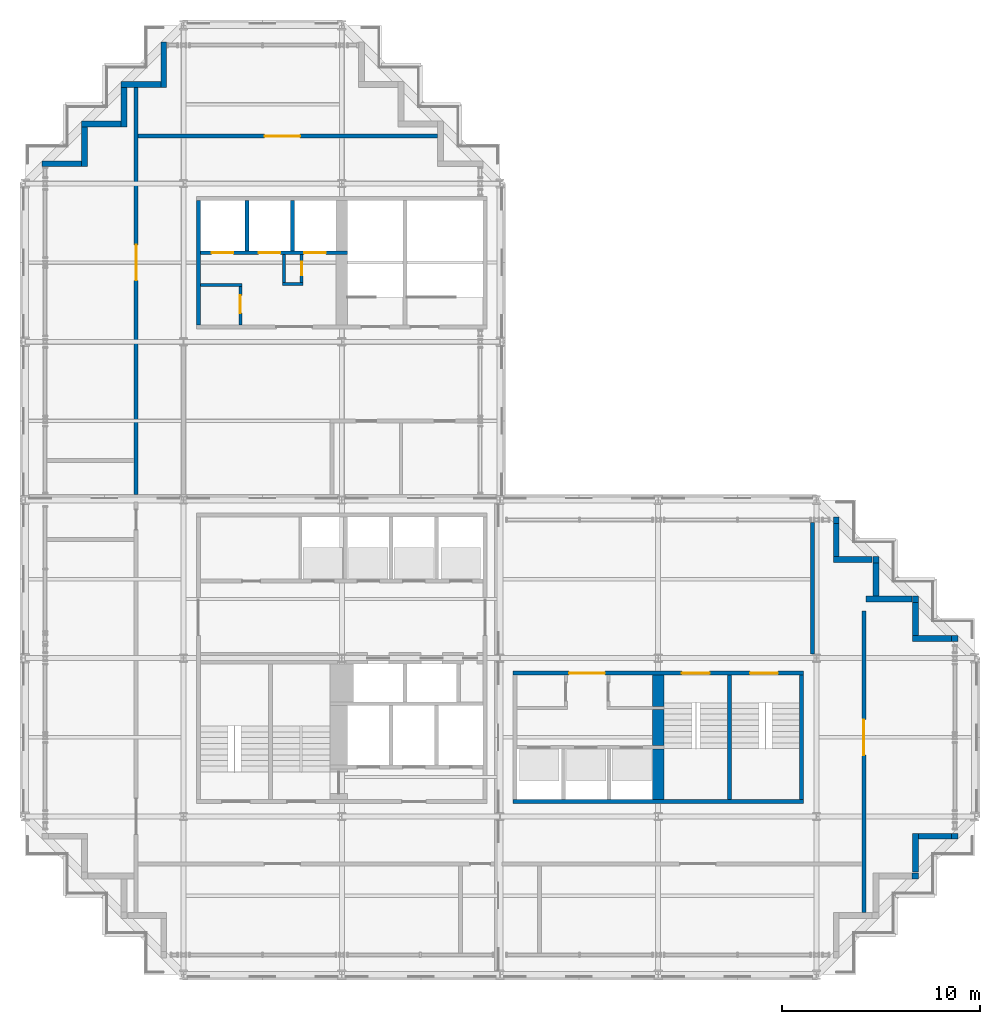
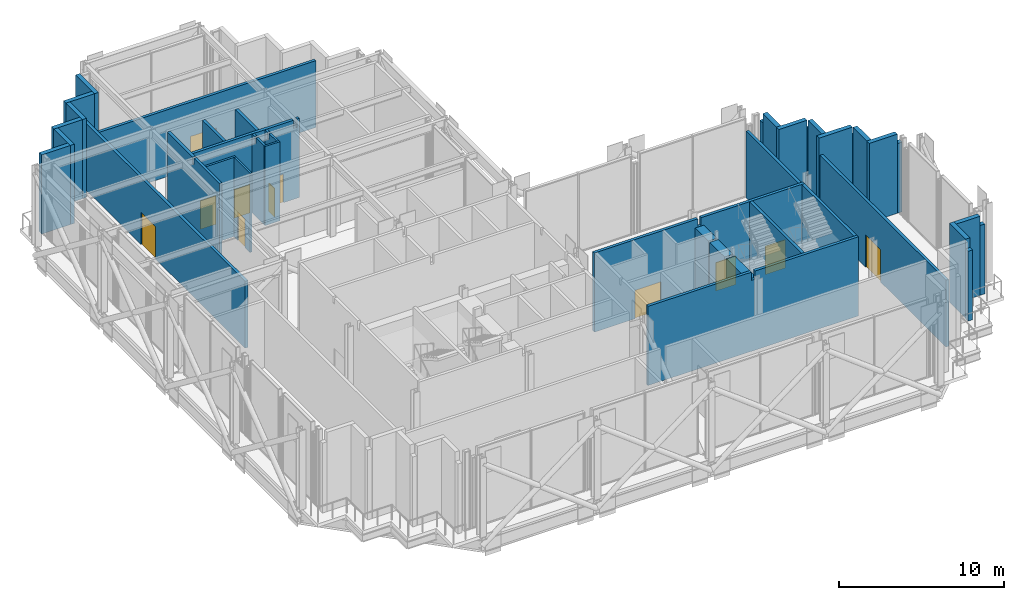
# One storey, part 18 of 23: 40 walls, 11 doors, 11 openings.
"""IFC4 building model written with IfcOpenShell, lengths in metres."""

from ifc_helpers import new_model, si_unit, direction, frame, frame_2d, origin, place, context, subcontext, project, spatial, polyline, rectangle, outline, extrude, material, layer, layer_set, type_object, element, fill, save


model = new_model("IFC4")

# Units and contexts
model_context = context("Model", 3, precision=1e-05, world=origin(), true_north=direction((0.0, 1.0)))
body_context = subcontext(model_context, "Body", "Model", "MODEL_VIEW")
ifc_project = project(units=[si_unit("LENGTHUNIT", "METRE"), si_unit("AREAUNIT", "SQUARE_METRE"), si_unit("VOLUMEUNIT", "CUBIC_METRE"), si_unit("PLANEANGLEUNIT", "RADIAN"), si_unit("MASSUNIT", "GRAM", prefix="KILO")], contexts=[model_context])

# Site, building, storey
site_placement = place(None, origin())
site = spatial("IfcSite", under=ifc_project, at=site_placement, CompositionType="ELEMENT")
building_placement = place(site_placement, origin())
building = spatial("IfcBuilding", under=site, at=building_placement, Name="Immortelle Media Tower", CompositionType="ELEMENT")
storey_placement = place(building_placement, frame((0.0, 0.0, 183.0)))
storey = spatial("IfcBuildingStorey", under=building, at=storey_placement, Name="L38", CompositionType="ELEMENT", Elevation=183.0)

# Wall
ifc_material_1 = material(Name="Fire-rated gypsum board", Category="gypsum")
ifc_layer_1 = layer(ifc_material_1, 0.02490234375)
ifc_material_2 = material(Name="Steel ASTM A653 SS Gr 50 stud frame with mineral wool", Category="steel")
ifc_layer_2 = layer(ifc_material_2, 0.10009765625)
ifc_layer_3 = layer(ifc_material_1, 0.02490234375)
ifc_layer_set_1 = layer_set([ifc_layer_1, ifc_layer_2, ifc_layer_3], Name="Steel ASTM A653 SS Gr 50 stud frame with mineral wool")
wall_type_1 = type_object("IfcWallType", Name="Core partition 150", PredefinedType="PARTITIONING", material=ifc_layer_set_1)
wall_1_placement = place(storey_placement, frame((8.85009765625, 34.875, 0.0), z_axis=(0.0, 0.0, 1.0), x_axis=(1.0, 0.0, 0.0)))
element("IfcWall", 1, at=wall_1_placement, inside=storey, type_object=wall_type_1, Name="Core partition NW", PredefinedType="PARTITIONING", context=body_context, shape_type="SweptSolid", body=[
    extrude(rectangle(XDim=2.099853515625, YDim=0.14990234375, at=frame_2d((1.0498046875, 0.0))), origin(), (0.0, 0.0, 1.0), 5.85009765625),
])

# Wall, opening, door
wall_2_placement = place(storey_placement, frame((10.875, 32.85009765625, 0.0), z_axis=(0.0, 0.0, 1.0), x_axis=(0.0, 1.0, 0.0)))
wall_2 = element("IfcWall", 2, at=wall_2_placement, inside=storey, type_object=wall_type_1, Name="Core partition NW", PredefinedType="PARTITIONING", context=body_context, shape_type="SweptSolid", body=[
    extrude(rectangle(XDim=1.949951171875, YDim=0.14990234375, at=frame_2d((0.97509765625, 0.0))), origin(), (0.0, 0.0, 1.0), 5.85009765625),
])
opening_1_placement = place(wall_2_placement, frame((0.60009765625, 0.0, 0.0)))
opening_1 = element("IfcOpeningElement", 3, at=opening_1_placement, cuts=wall_2, Name="Opening L38-K027", PredefinedType="OPENING", context=body_context, shape_type="SweptSolid", body=[
    extrude(rectangle(XDim=0.89990234375, YDim=2.10009765625, at=frame_2d((0.449951171875, 1.050048828125))), frame((0.0, 0.0849609375, 0.0), z_axis=(0.0, -1.0, 0.0), x_axis=(1.0, 0.0, 0.0)), (0.0, 0.0, 1.0), 0.169921875),
])
ifc_material_3 = material(Name="Galvanised steel door leaf and frame ASTM A653", Category="steel")
door_type_1 = type_object("IfcDoorType", Name="Service door 900 x 2100", OperationType="NOTDEFINED", PredefinedType="NOTDEFINED", material=ifc_material_3)
door_1_placement = place(opening_1_placement, origin())
door_1 = element("IfcDoor", 4, at=door_1_placement, inside=storey, type_object=door_type_1, Name="Service L38-K027", OperationType="SINGLE_SWING_RIGHT", OverallHeight=2.10009765625, OverallWidth=0.89990234375, PredefinedType="NOTDEFINED", context=body_context, shape_type="SweptSolid", body=[
    extrude(rectangle(XDim=0.89990234375, YDim=2.10009765625, at=frame_2d((0.449951171875, 1.050048828125))), frame((0.0, 0.02490234375, 0.0), z_axis=(0.0, -1.0, 0.0), x_axis=(1.0, 0.0, 0.0)), (0.0, 0.0, 1.0), 0.050048828125),
])
fill(opening_1, door_1)

# Walls
wall_3_placement = place(storey_placement, frame((13.0, 34.925048828125, 0.0), z_axis=(0.0, 0.0, 1.0), x_axis=(1.0, 0.0, 0.0)))
element("IfcWall", 5, at=wall_3_placement, inside=storey, type_object=wall_type_1, Name="Core partition NW", PredefinedType="PARTITIONING", context=body_context, shape_type="SweptSolid", body=[
    extrude(rectangle(XDim=1.050048828125, YDim=0.14990234375, at=frame_2d((0.52490234375, 0.0))), origin(), (0.0, 0.0, 1.0), 5.85009765625),
])
wall_4_placement = place(storey_placement, frame((13.074951171875, 35.0, 0.0), z_axis=(0.0, 0.0, 1.0), x_axis=(0.0, 1.0, 0.0)))
element("IfcWall", 6, at=wall_4_placement, inside=storey, type_object=wall_type_1, Name="Core partition NW", PredefinedType="PARTITIONING", context=body_context, shape_type="SweptSolid", body=[
    extrude(outline(polyline([(0.0, 0.0), (1.39990234375, 0.0), (1.39990234375, 5.85009765625), (1.08154296875, 5.85009765625), (1.08056640625, 5.388916015625), (0.91943359375, 5.388916015625), (0.91845703125, 5.85009765625), (0.0, 5.85009765625), (0.0, 0.0)])), frame((0.0, 0.074951171875, 0.0), z_axis=(0.0, -1.0, 0.0), x_axis=(1.0, 0.0, 0.0)), (0.0, 0.0, 1.0), 0.14990234375),
])

# Wall, opening, door
wall_5_placement = place(storey_placement, frame((13.97509765625, 35.0, 0.0), z_axis=(0.0, 0.0, 1.0), x_axis=(0.0, 1.0, 0.0)))
wall_5 = element("IfcWall", 7, at=wall_5_placement, inside=storey, type_object=wall_type_1, Name="Core partition NW", PredefinedType="PARTITIONING", context=body_context, shape_type="SweptSolid", body=[
    extrude(outline(polyline([(0.0, 0.0), (1.39990234375, 0.0), (1.39990234375, 5.85009765625), (1.08154296875, 5.85009765625), (1.08056640625, 5.388916015625), (0.91943359375, 5.388916015625), (0.91845703125, 5.85009765625), (0.0, 5.85009765625), (0.0, 0.0)])), frame((0.0, 0.074951171875, 0.0), z_axis=(0.0, -1.0, 0.0), x_axis=(1.0, 0.0, 0.0)), (0.0, 0.0, 1.0), 0.14990234375),
])
opening_2_placement = place(wall_5_placement, frame((0.35009765625, 0.0, 0.0)))
opening_2 = element("IfcOpeningElement", 8, at=opening_2_placement, cuts=wall_5, Name="Opening L38-K030", PredefinedType="OPENING", context=body_context, shape_type="SweptSolid", body=[
    extrude(rectangle(XDim=0.699951171875, YDim=2.10009765625, at=frame_2d((0.35009765625, 1.050048828125))), frame((0.0, 0.0849609375, 0.0), z_axis=(0.0, -1.0, 0.0), x_axis=(1.0, 0.0, 0.0)), (0.0, 0.0, 1.0), 0.169921875),
])
door_type_2 = type_object("IfcDoorType", Name="Service door 700 x 2100", OperationType="NOTDEFINED", PredefinedType="NOTDEFINED", material=ifc_material_3)
door_2_placement = place(opening_2_placement, origin())
door_2 = element("IfcDoor", 9, at=door_2_placement, inside=storey, type_object=door_type_2, Name="Service L38-K030", OperationType="SINGLE_SWING_RIGHT", OverallHeight=2.10009765625, OverallWidth=0.699951171875, PredefinedType="NOTDEFINED", context=body_context, shape_type="SweptSolid", body=[
    extrude(rectangle(XDim=0.699951171875, YDim=2.10009765625, at=frame_2d((0.35009765625, 1.050048828125))), frame((0.0, 0.02490234375, 0.0), z_axis=(0.0, -1.0, 0.0), x_axis=(1.0, 0.0, 0.0)), (0.0, 0.0, 1.0), 0.050048828125),
])
fill(opening_2, door_2)

# Wall
ifc_layer_4 = layer(ifc_material_1, 0.03759765625)
ifc_layer_5 = layer(ifc_material_2, 0.125)
ifc_layer_6 = layer(ifc_material_1, 0.03759765625)
ifc_layer_set_2 = layer_set([ifc_layer_4, ifc_layer_5, ifc_layer_6], Name="Steel ASTM A653 SS Gr 50 stud frame with mineral wool")
wall_type_2 = type_object("IfcWallType", Name="Core shaft wall 200", PredefinedType="PARTITIONING", material=ifc_layer_set_2)
wall_6_placement = place(storey_placement, frame((8.75, 32.85009765625, 0.0), z_axis=(0.0, 0.0, 1.0), x_axis=(0.0, 1.0, 0.0)))
element("IfcWall", 10, at=wall_6_placement, inside=storey, type_object=wall_type_2, Name="Core shaft wall NW", PredefinedType="PARTITIONING", context=body_context, shape_type="SweptSolid", body=[
    extrude(outline(polyline([(0.0, 0.0), (6.2998046875, 0.0), (6.300048828125, 5.85009765625), (3.2314453125, 5.85009765625), (3.23046875, 5.388916015625), (3.069580078125, 5.388916015625), (3.068603515625, 5.85009765625), (0.0, 5.85009765625), (0.0, 0.0)])), frame((0.0, 0.10009765625, 0.0), z_axis=(0.0, -1.0, 0.0), x_axis=(1.0, 0.0, 0.0)), (0.0, 0.0, 1.0), 0.199951171875),
])

# Wall, openings, doors
wall_7_placement = place(storey_placement, frame((8.85009765625, 36.5, 0.0), z_axis=(0.0, 0.0, 1.0), x_axis=(1.0, 0.0, 0.0)))
wall_7 = element("IfcWall", 11, at=wall_7_placement, inside=storey, type_object=wall_type_2, Name="Core shaft wall NW", PredefinedType="PARTITIONING", context=body_context, shape_type="SweptSolid", body=[
    extrude(outline(polyline([(0.0, 0.0), (7.449951171875, 0.0), (7.449951171875, 5.85009765625), (7.26904296875, 5.85009765625), (7.26806640625, 5.241943359375), (7.031982421875, 5.241943359375), (7.031005859375, 5.85009765625), (0.0, 5.85009765625), (0.0, 0.0)])), frame((0.0, 0.10009765625, 0.0), z_axis=(0.0, -1.0, 0.0), x_axis=(1.0, 0.0, 0.0)), (0.0, 0.0, 1.0), 0.199951171875),
])
opening_3_placement = place(wall_7_placement, frame((0.574951171875, 0.0, 0.0)))
opening_3 = element("IfcOpeningElement", 12, at=opening_3_placement, cuts=wall_7, Name="Opening LD", PredefinedType="OPENING", context=body_context, shape_type="SweptSolid", body=[
    extrude(rectangle(XDim=1.10009765625, YDim=2.10009765625, at=frame_2d((0.550048828125, 1.050048828125))), frame((0.0, 0.10986328125, 0.0), z_axis=(0.0, -1.0, 0.0), x_axis=(1.0, 0.0, 0.0)), (0.0, 0.0, 1.0), 0.219970703125),
])
opening_4_placement = place(wall_7_placement, frame((2.949951171875, 0.0, 0.0)))
opening_4 = element("IfcOpeningElement", 13, at=opening_4_placement, cuts=wall_7, Name="Opening LD", PredefinedType="OPENING", context=body_context, shape_type="SweptSolid", body=[
    extrude(rectangle(XDim=1.10009765625, YDim=2.10009765625, at=frame_2d((0.550048828125, 1.050048828125))), frame((0.0, 0.10986328125, 0.0), z_axis=(0.0, -1.0, 0.0), x_axis=(1.0, 0.0, 0.0)), (0.0, 0.0, 1.0), 0.219970703125),
])
opening_5_placement = place(wall_7_placement, frame((5.25, 0.0, 0.0)))
opening_5 = element("IfcOpeningElement", 14, at=opening_5_placement, cuts=wall_7, Name="Opening LD", PredefinedType="OPENING", context=body_context, shape_type="SweptSolid", body=[
    extrude(rectangle(XDim=1.10009765625, YDim=2.10009765625, at=frame_2d((0.550048828125, 1.050048828125))), frame((0.0, 0.10986328125, 0.0), z_axis=(0.0, -1.0, 0.0), x_axis=(1.0, 0.0, 0.0)), (0.0, 0.0, 1.0), 0.219970703125),
])
ifc_material_4 = material(Name="Stainless steel AISI 304", Category="steel")
door_type_3 = type_object("IfcDoorType", Name="Landing door 1100 x 2100", OperationType="SLIDING_TO_LEFT", PredefinedType="NOTDEFINED", material=ifc_material_4)
door_3_placement = place(opening_3_placement, origin())
door_3 = element("IfcDoor", 15, at=door_3_placement, inside=storey, type_object=door_type_3, Name="Landing door MR1 L38", OperationType="SLIDING_TO_LEFT", OverallHeight=2.10009765625, OverallWidth=1.10009765625, PredefinedType="NOTDEFINED", context=body_context, shape_type="SweptSolid", body=[
    extrude(rectangle(XDim=1.10009765625, YDim=2.10009765625, at=frame_2d((0.550048828125, 1.050048828125))), frame((0.0, 0.02490234375, 0.0), z_axis=(0.0, -1.0, 0.0), x_axis=(1.0, 0.0, 0.0)), (0.0, 0.0, 1.0), 0.050048828125),
])
fill(opening_3, door_3)
door_4_placement = place(opening_4_placement, origin())
door_4 = element("IfcDoor", 16, at=door_4_placement, inside=storey, type_object=door_type_3, Name="Landing door MR2 L38", OperationType="SLIDING_TO_LEFT", OverallHeight=2.10009765625, OverallWidth=1.10009765625, PredefinedType="NOTDEFINED", context=body_context, shape_type="SweptSolid", body=[
    extrude(rectangle(XDim=1.10009765625, YDim=2.10009765625, at=frame_2d((0.550048828125, 1.050048828125))), frame((0.0, 0.02490234375, 0.0), z_axis=(0.0, -1.0, 0.0), x_axis=(1.0, 0.0, 0.0)), (0.0, 0.0, 1.0), 0.050048828125),
])
fill(opening_4, door_4)
door_5_placement = place(opening_5_placement, origin())
door_5 = element("IfcDoor", 17, at=door_5_placement, inside=storey, type_object=door_type_3, Name="Landing door MR3 L38", OperationType="SLIDING_TO_LEFT", OverallHeight=2.10009765625, OverallWidth=1.10009765625, PredefinedType="NOTDEFINED", context=body_context, shape_type="SweptSolid", body=[
    extrude(rectangle(XDim=1.10009765625, YDim=2.10009765625, at=frame_2d((0.550048828125, 1.050048828125))), frame((0.0, 0.02490234375, 0.0), z_axis=(0.0, -1.0, 0.0), x_axis=(1.0, 0.0, 0.0)), (0.0, 0.0, 1.0), 0.050048828125),
])
fill(opening_5, door_5)

# Walls
for number, where, z_axis, x_axis, name in (
    (18, (11.199951171875, 36.60009765625, 0.0), (0.0, 0.0, 1.0), (0.0, 1.0, 0.0), "Core shaft wall NW"),
    (19, (13.5, 36.60009765625, 0.0), (0.0, 0.0, 1.0), (0.0, 1.0, 0.0), "Core shaft wall NW"),
):
    element("IfcWall", number, at=place(storey_placement, frame(where, z_axis=z_axis, x_axis=x_axis)), inside=storey, type_object=wall_type_2, Name=name, PredefinedType="PARTITIONING", context=body_context, shape_type="SweptSolid", body=[
        extrude(rectangle(XDim=2.5498046875, YDim=0.199951171875, at=frame_2d((1.27490234375, 0.0))), origin(), (0.0, 0.0, 1.0), 5.85009765625),
    ])

# Wall, opening, door
ifc_layer_7 = layer(ifc_material_1, 0.03759765625)
ifc_layer_8 = layer(ifc_material_2, 0.125)
ifc_layer_9 = layer(ifc_material_1, 0.03759765625)
ifc_layer_set_3 = layer_set([ifc_layer_7, ifc_layer_8, ifc_layer_9], Name="Steel ASTM A653 SS Gr 50 stud frame with mineral wool")
wall_type_3 = type_object("IfcWallType", Name="Fire-resisting wall 200", PredefinedType="PARTITIONING", material=ifc_layer_set_3)
wall_8_placement = place(storey_placement, frame((5.60009765625, 24.27099609375, 0.0), z_axis=(0.0, 0.0, 1.0), x_axis=(0.0, 1.0, 0.0)))
wall_8 = element("IfcWall", 20, at=wall_8_placement, inside=storey, type_object=wall_type_3, Name="Fire-resisting wall L38-3B", PredefinedType="PARTITIONING", context=body_context, shape_type="SweptSolid", body=[
    extrude(rectangle(XDim=20.5791015625, YDim=0.199951171875, at=frame_2d((10.28955078125, 0.0))), origin(), (0.0, 0.0, 1.0), 4.93603515625),
])
opening_6_placement = place(wall_8_placement, frame((10.8291015625, 0.0, 0.0)))
opening_6 = element("IfcOpeningElement", 21, at=opening_6_placement, cuts=wall_8, Name="Opening L38-X03", PredefinedType="OPENING", context=body_context, shape_type="SweptSolid", body=[
    extrude(rectangle(XDim=1.800048828125, YDim=2.39990234375, at=frame_2d((0.89990234375, 1.199951171875))), frame((0.0, 0.10986328125, 0.0), z_axis=(0.0, -1.0, 0.0), x_axis=(1.0, 0.0, 0.0)), (0.0, 0.0, 1.0), 0.219970703125),
])
door_type_4 = type_object("IfcDoorType", Name="Fire double door 1800 x 2400", OperationType="DOUBLE_DOOR_SINGLE_SWING", PredefinedType="DOOR", material=ifc_material_3)
door_6_placement = place(opening_6_placement, origin())
door_6 = element("IfcDoor", 22, at=door_6_placement, inside=storey, type_object=door_type_4, Name="Door L38-X03", OperationType="DOUBLE_DOOR_SINGLE_SWING", OverallHeight=2.39990234375, OverallWidth=1.800048828125, PredefinedType="DOOR", context=body_context, shape_type="SweptSolid", body=[
    extrude(rectangle(XDim=1.800048828125, YDim=2.39990234375, at=frame_2d((0.89990234375, 1.199951171875))), frame((0.0, 0.02490234375, 0.0), z_axis=(0.0, -1.0, 0.0), x_axis=(1.0, 0.0, 0.0)), (0.0, 0.0, 1.0), 0.050048828125),
])
fill(opening_6, door_6)

wall_9_placement = place(storey_placement, frame((5.699951171875, 42.39990234375, 0.0), z_axis=(0.0, 0.0, 1.0), x_axis=(1.0, 0.0, 0.0)))
wall_9 = element("IfcWall", 23, at=wall_9_placement, inside=storey, type_object=wall_type_3, Name="Fire-resisting wall L38-5", PredefinedType="PARTITIONING", context=body_context, shape_type="SweptSolid", body=[
    extrude(rectangle(XDim=15.150146484375, YDim=0.199951171875, at=frame_2d((7.5751953125, 0.0))), origin(), (0.0, 0.0, 1.0), 4.93603515625),
])
opening_7_placement = place(wall_9_placement, frame((6.39990234375, 0.0, 0.0)))
opening_7 = element("IfcOpeningElement", 24, at=opening_7_placement, cuts=wall_9, Name="Opening L38-X08", PredefinedType="OPENING", context=body_context, shape_type="SweptSolid", body=[
    extrude(rectangle(XDim=1.800048828125, YDim=2.39990234375, at=frame_2d((0.89990234375, 1.199951171875))), frame((0.0, 0.10986328125, 0.0), z_axis=(0.0, -1.0, 0.0), x_axis=(1.0, 0.0, 0.0)), (0.0, 0.0, 1.0), 0.219970703125),
])
door_7_placement = place(opening_7_placement, origin())
door_7 = element("IfcDoor", 25, at=door_7_placement, inside=storey, type_object=door_type_4, Name="Door L38-X08", OperationType="DOUBLE_DOOR_SINGLE_SWING", OverallHeight=2.39990234375, OverallWidth=1.800048828125, PredefinedType="DOOR", context=body_context, shape_type="SweptSolid", body=[
    extrude(rectangle(XDim=1.800048828125, YDim=2.39990234375, at=frame_2d((0.89990234375, 1.199951171875))), frame((0.0, 0.02490234375, 0.0), z_axis=(0.0, -1.0, 0.0), x_axis=(1.0, 0.0, 0.0)), (0.0, 0.0, 1.0), 0.050048828125),
])
fill(opening_7, door_7)

# Wall
wall_10_placement = place(storey_placement, frame((39.800048828125, 16.2041015625, 0.0), z_axis=(0.0, 0.0, 1.0), x_axis=(0.0, 1.0, 0.0)))
element("IfcWall", 26, at=wall_10_placement, inside=storey, type_object=wall_type_3, Name="Fire-resisting wall L38-12", PredefinedType="PARTITIONING", context=body_context, shape_type="SweptSolid", body=[
    extrude(rectangle(XDim=6.64599609375, YDim=0.199951171875, at=frame_2d((3.322998046875, 0.0))), origin(), (0.0, 0.0, 1.0), 4.93603515625),
])

# Wall, opening, door
wall_11_placement = place(storey_placement, frame((42.39990234375, 3.14990234375, 0.0), z_axis=(0.0, 0.0, 1.0), x_axis=(0.0, 1.0, 0.0)))
wall_11 = element("IfcWall", 27, at=wall_11_placement, inside=storey, type_object=wall_type_3, Name="Fire-resisting wall L38-13", PredefinedType="PARTITIONING", context=body_context, shape_type="SweptSolid", body=[
    extrude(rectangle(XDim=15.25, YDim=0.199951171875, at=frame_2d((7.625, 0.0))), origin(), (0.0, 0.0, 1.0), 4.93603515625),
])
opening_8_placement = place(wall_11_placement, frame((7.949951171875, 0.0, 0.0)))
opening_8 = element("IfcOpeningElement", 28, at=opening_8_placement, cuts=wall_11, Name="Opening L38-X07", PredefinedType="OPENING", context=body_context, shape_type="SweptSolid", body=[
    extrude(rectangle(XDim=1.800048828125, YDim=2.39990234375, at=frame_2d((0.89990234375, 1.199951171875))), frame((0.0, 0.10986328125, 0.0), z_axis=(0.0, -1.0, 0.0), x_axis=(1.0, 0.0, 0.0)), (0.0, 0.0, 1.0), 0.219970703125),
])
door_8_placement = place(opening_8_placement, origin())
door_8 = element("IfcDoor", 29, at=door_8_placement, inside=storey, type_object=door_type_4, Name="Door L38-X07", OperationType="DOUBLE_DOOR_SINGLE_SWING", OverallHeight=2.39990234375, OverallWidth=1.800048828125, PredefinedType="DOOR", context=body_context, shape_type="SweptSolid", body=[
    extrude(rectangle(XDim=1.800048828125, YDim=2.39990234375, at=frame_2d((0.89990234375, 1.199951171875))), frame((0.0, 0.02490234375, 0.0), z_axis=(0.0, -1.0, 0.0), x_axis=(1.0, 0.0, 0.0)), (0.0, 0.0, 1.0), 0.050048828125),
])
fill(opening_8, door_8)

# Walls
ifc_material_5 = material(Name="Pale aluminium cladding panel", Category="aluminium")
ifc_layer_10 = layer(ifc_material_5, 0.030029296875)
ifc_layer_11 = layer(ifc_material_2, 0.257568359375)
ifc_material_6 = material(Name="Moisture-resistant gypsum board", Category="gypsum")
ifc_layer_12 = layer(ifc_material_6, 0.012451171875)
ifc_layer_set_4 = layer_set([ifc_layer_10, ifc_layer_11, ifc_layer_12], Name="Steel ASTM A653 SS Gr 50 stud frame with mineral wool")
wall_type_4 = type_object("IfcWallType", Name="Pale metal clad wall 300", PredefinedType="STANDARD", material=ifc_layer_set_4)
wall_12_placement = place(storey_placement, frame((44.818359375, 5.0, 0.0), z_axis=(0.0, 0.0, 1.0), x_axis=(1.0, 0.0, 0.0)))
element("IfcWall", 30, at=wall_12_placement, inside=storey, type_object=wall_type_4, Name="Plant corner wall L38 S 11-2", PredefinedType="STANDARD", context=body_context, shape_type="SweptSolid", body=[
    extrude(rectangle(XDim=0.33154296875, YDim=0.300048828125, at=frame_2d((0.165771484375, 0.0))), origin(), (0.0, 0.0, 1.0), 5.156494140625),
])
wall_13_placement = place(storey_placement, frame((45.0, 5.181640625, 0.0), z_axis=(0.0, 0.0, 1.0), x_axis=(0.0, 1.0, 0.0)))
element("IfcWall", 31, at=wall_13_placement, inside=storey, type_object=wall_type_4, Name="Plant corner wall L38 E 12-2", PredefinedType="STANDARD", context=body_context, shape_type="SweptSolid", body=[
    extrude(rectangle(XDim=1.96826171875, YDim=0.300048828125, at=frame_2d((0.984130859375, 0.0))), origin(), (0.0, 0.0, 1.0), 5.849609375),
])
wall_14_placement = place(storey_placement, frame((45.14990234375, 7.0, 0.0), z_axis=(0.0, 0.0, 1.0), x_axis=(1.0, 0.0, 0.0)))
element("IfcWall", 32, at=wall_14_placement, inside=storey, type_object=wall_type_4, Name="Plant corner wall L38 S 13-1", PredefinedType="STANDARD", context=body_context, shape_type="SweptSolid", body=[
    extrude(rectangle(XDim=1.66845703125, YDim=0.300048828125, at=frame_2d((0.834228515625, 0.0))), origin(), (0.0, 0.0, 1.0), 5.849609375),
])
for number, where, z_axis, x_axis, name in (
    (33, (46.818359375, 7.0, 0.0), (0.0, 0.0, 1.0), (1.0, 0.0, 0.0), "Plant corner wall L38 S 13-2"),
    (34, (47.14990234375, 17.0, 0.0), (0.0, 0.0, 1.0), (-1.0, 0.0, 0.0), "Plant corner wall L38 N 15-1"),
):
    element("IfcWall", number, at=place(storey_placement, frame(where, z_axis=z_axis, x_axis=x_axis)), inside=storey, type_object=wall_type_4, Name=name, PredefinedType="STANDARD", context=body_context, shape_type="SweptSolid", body=[
        extrude(rectangle(XDim=0.33154296875, YDim=0.300048828125, at=frame_2d((0.165771484375, 0.0))), origin(), (0.0, 0.0, 1.0), 5.156494140625),
    ])
wall_15_placement = place(storey_placement, frame((46.818359375, 17.0, 0.0), z_axis=(0.0, 0.0, 1.0), x_axis=(-1.0, 0.0, 0.0)))
element("IfcWall", 35, at=wall_15_placement, inside=storey, type_object=wall_type_4, Name="Plant corner wall L38 N 15-2", PredefinedType="STANDARD", context=body_context, shape_type="SweptSolid", body=[
    extrude(rectangle(XDim=1.96826171875, YDim=0.300048828125, at=frame_2d((0.984130859375, 0.0))), origin(), (0.0, 0.0, 1.0), 5.849609375),
])
wall_16_placement = place(storey_placement, frame((45.0, 17.14990234375, 0.0), z_axis=(0.0, 0.0, 1.0), x_axis=(0.0, 1.0, 0.0)))
element("IfcWall", 36, at=wall_16_placement, inside=storey, type_object=wall_type_4, Name="Plant corner wall L38 E 16-1", PredefinedType="STANDARD", context=body_context, shape_type="SweptSolid", body=[
    extrude(rectangle(XDim=1.66845703125, YDim=0.300048828125, at=frame_2d((0.834228515625, 0.0))), origin(), (0.0, 0.0, 1.0), 5.849609375),
])
wall_17_placement = place(storey_placement, frame((45.0, 18.818359375, 0.0), z_axis=(0.0, 0.0, 1.0), x_axis=(0.0, 1.0, 0.0)))
element("IfcWall", 37, at=wall_17_placement, inside=storey, type_object=wall_type_4, Name="Plant corner wall L38 E 16-2", PredefinedType="STANDARD", context=body_context, shape_type="SweptSolid", body=[
    extrude(rectangle(XDim=0.33154296875, YDim=0.300048828125, at=frame_2d((0.165771484375, 0.0))), origin(), (0.0, 0.0, 1.0), 5.156494140625),
])
wall_18_placement = place(storey_placement, frame((44.818359375, 19.0, 0.0), z_axis=(0.0, 0.0, 1.0), x_axis=(-1.0, 0.0, 0.0)))
element("IfcWall", 38, at=wall_18_placement, inside=storey, type_object=wall_type_4, Name="Plant corner wall L38 N 17-2", PredefinedType="STANDARD", context=body_context, shape_type="SweptSolid", body=[
    extrude(rectangle(XDim=2.318359375, YDim=0.300048828125, at=frame_2d((1.1591796875, 0.0))), origin(), (0.0, 0.0, 1.0), 5.849609375),
])
wall_19_placement = place(storey_placement, frame((43.0, 19.14990234375, 0.0), z_axis=(0.0, 0.0, 1.0), x_axis=(0.0, 1.0, 0.0)))
element("IfcWall", 39, at=wall_19_placement, inside=storey, type_object=wall_type_4, Name="Plant corner wall L38 E 18-1", PredefinedType="STANDARD", context=body_context, shape_type="SweptSolid", body=[
    extrude(rectangle(XDim=1.66845703125, YDim=0.300048828125, at=frame_2d((0.834228515625, 0.0))), origin(), (0.0, 0.0, 1.0), 5.849609375),
])
wall_20_placement = place(storey_placement, frame((43.0, 20.818359375, 0.0), z_axis=(0.0, 0.0, 1.0), x_axis=(0.0, 1.0, 0.0)))
element("IfcWall", 40, at=wall_20_placement, inside=storey, type_object=wall_type_4, Name="Plant corner wall L38 E 18-2", PredefinedType="STANDARD", context=body_context, shape_type="SweptSolid", body=[
    extrude(rectangle(XDim=0.33154296875, YDim=0.300048828125, at=frame_2d((0.165771484375, 0.0))), origin(), (0.0, 0.0, 1.0), 5.156494140625),
])
wall_21_placement = place(storey_placement, frame((42.818359375, 21.0, 0.0), z_axis=(0.0, 0.0, 1.0), x_axis=(-1.0, 0.0, 0.0)))
element("IfcWall", 41, at=wall_21_placement, inside=storey, type_object=wall_type_4, Name="Plant corner wall L38 N 19-2", PredefinedType="STANDARD", context=body_context, shape_type="SweptSolid", body=[
    extrude(rectangle(XDim=1.96826171875, YDim=0.300048828125, at=frame_2d((0.984130859375, 0.0))), origin(), (0.0, 0.0, 1.0), 5.849609375),
])
wall_22_placement = place(storey_placement, frame((41.0, 21.14990234375, 0.0), z_axis=(0.0, 0.0, 1.0), x_axis=(0.0, 1.0, 0.0)))
element("IfcWall", 42, at=wall_22_placement, inside=storey, type_object=wall_type_4, Name="Plant corner wall L38 E 20-1", PredefinedType="STANDARD", context=body_context, shape_type="SweptSolid", body=[
    extrude(rectangle(XDim=1.66845703125, YDim=0.300048828125, at=frame_2d((0.834228515625, 0.0))), origin(), (0.0, 0.0, 1.0), 5.849609375),
])
wall_23_placement = place(storey_placement, frame((41.0, 22.818359375, 0.0), z_axis=(0.0, 0.0, 1.0), x_axis=(0.0, 1.0, 0.0)))
element("IfcWall", 43, at=wall_23_placement, inside=storey, type_object=wall_type_4, Name="Plant corner wall L38 E 20-2", PredefinedType="STANDARD", context=body_context, shape_type="SweptSolid", body=[
    extrude(rectangle(XDim=0.33154296875, YDim=0.300048828125, at=frame_2d((0.165771484375, 0.0))), origin(), (0.0, 0.0, 1.0), 5.156494140625),
])
wall_24_placement = place(storey_placement, frame((7.0, 47.14990234375, 0.0), z_axis=(0.0, 0.0, 1.0), x_axis=(0.0, -1.0, 0.0)))
element("IfcWall", 44, at=wall_24_placement, inside=storey, type_object=wall_type_4, Name="Plant corner wall L38 W 30", PredefinedType="STANDARD", context=body_context, shape_type="SweptSolid", body=[
    extrude(rectangle(XDim=2.2998046875, YDim=0.300048828125, at=frame_2d((1.14990234375, 0.0))), origin(), (0.0, 0.0, 1.0), 5.849609375),
])
for number, where, z_axis, x_axis, name in (
    (45, (6.85009765625, 45.0, 0.0), (0.0, 0.0, 1.0), (-1.0, 0.0, 0.0), "Plant corner wall L38 N 31"),
    (46, (5.0, 44.85009765625, 0.0), (0.0, 0.0, 1.0), (0.0, -1.0, 0.0), "Plant corner wall L38 W 32"),
    (47, (4.85009765625, 43.0, 0.0), (0.0, 0.0, 1.0), (-1.0, 0.0, 0.0), "Plant corner wall L38 N 33"),
    (48, (3.0, 42.85009765625, 0.0), (0.0, 0.0, 1.0), (0.0, -1.0, 0.0), "Plant corner wall L38 W 34"),
    (49, (2.85009765625, 41.0, 0.0), (0.0, 0.0, 1.0), (-1.0, 0.0, 0.0), "Plant corner wall L38 N 35"),
):
    element("IfcWall", number, at=place(storey_placement, frame(where, z_axis=z_axis, x_axis=x_axis)), inside=storey, type_object=wall_type_4, Name=name, PredefinedType="STANDARD", context=body_context, shape_type="SweptSolid", body=[
        extrude(rectangle(XDim=2.0, YDim=0.300048828125, at=frame_2d((1.0, 0.0))), origin(), (0.0, 0.0, 1.0), 5.849609375),
    ])
ifc_material_7 = material(Name="Concrete C60", Category="concrete")
ifc_layer_13 = layer(ifc_material_7, 0.199951171875)
ifc_layer_set_5 = layer_set([ifc_layer_13], Name="Concrete C60")
wall_type_5 = type_object("IfcWallType", Name="Stair shaft wall 200", PredefinedType="PARTITIONING", material=ifc_layer_set_5)
wall_25_placement = place(storey_placement, frame((24.64990234375, 8.75, 0.0), z_axis=(0.0, 0.0, 1.0), x_axis=(1.0, 0.0, 0.0)))
element("IfcWall", 50, at=wall_25_placement, inside=storey, type_object=wall_type_5, Name="Stair shaft wall SE", PredefinedType="PARTITIONING", context=body_context, shape_type="SweptSolid", body=[
    extrude(outline(polyline([(0.0, 0.0), (14.7001953125, 0.0), (14.699951171875, 5.85009765625), (7.468994140625, 5.85009765625), (7.468017578125, 5.241943359375), (7.23193359375, 5.241943359375), (7.23095703125, 5.85009765625), (0.0, 5.85009765625), (0.0, 0.0)])), frame((0.0, 0.10009765625, 0.0), z_axis=(0.0, -1.0, 0.0), x_axis=(1.0, 0.0, 0.0)), (0.0, 0.0, 1.0), 0.199951171875),
])

# Wall, openings, doors
wall_26_placement = place(storey_placement, frame((24.64990234375, 15.25, 0.0), z_axis=(0.0, 0.0, 1.0), x_axis=(1.0, 0.0, 0.0)))
wall_26 = element("IfcWall", 51, at=wall_26_placement, inside=storey, type_object=wall_type_5, Name="Stair shaft wall SE", PredefinedType="PARTITIONING", context=body_context, shape_type="SweptSolid", body=[
    extrude(outline(polyline([(0.0, 0.0), (14.7001953125, 0.0), (14.699951171875, 5.85009765625), (7.468994140625, 5.85009765625), (7.468017578125, 5.241943359375), (7.23193359375, 5.241943359375), (7.23095703125, 5.85009765625), (0.0, 5.85009765625), (0.0, 0.0)])), frame((0.0, 0.10009765625, 0.0), z_axis=(0.0, -1.0, 0.0), x_axis=(1.0, 0.0, 0.0)), (0.0, 0.0, 1.0), 0.199951171875),
])
opening_9_placement = place(wall_26_placement, frame((2.85009765625, 0.0, 0.0)))
opening_9 = element("IfcOpeningElement", 52, at=opening_9_placement, cuts=wall_26, Name="Opening L38-K021", PredefinedType="OPENING", context=body_context, shape_type="SweptSolid", body=[
    extrude(rectangle(XDim=1.800048828125, YDim=2.10009765625, at=frame_2d((0.89990234375, 1.050048828125))), frame((0.0, 0.10986328125, 0.0), z_axis=(0.0, -1.0, 0.0), x_axis=(1.0, 0.0, 0.0)), (0.0, 0.0, 1.0), 0.219970703125),
])
opening_10_placement = place(wall_26_placement, frame((9.949951171875, 0.0, 0.0), z_axis=(0.0, 0.0, 1.0), x_axis=(-1.0, 0.0, 0.0)))
opening_10 = element("IfcOpeningElement", 53, at=opening_10_placement, cuts=wall_26, Name="Opening L38-K024", PredefinedType="OPENING", context=body_context, shape_type="SweptSolid", body=[
    extrude(rectangle(XDim=1.39990234375, YDim=2.10009765625, at=frame_2d((0.699951171875, 1.050048828125))), frame((0.0, 0.10986328125, 0.0), z_axis=(0.0, -1.0, 0.0), x_axis=(1.0, 0.0, 0.0)), (0.0, 0.0, 1.0), 0.219970703125),
])
opening_11_placement = place(wall_26_placement, frame((13.39990234375, 0.0, 0.0), z_axis=(0.0, 0.0, 1.0), x_axis=(-1.0, 0.0, 0.0)))
opening_11 = element("IfcOpeningElement", 54, at=opening_11_placement, cuts=wall_26, Name="Opening L38-K025", PredefinedType="OPENING", context=body_context, shape_type="SweptSolid", body=[
    extrude(rectangle(XDim=1.39990234375, YDim=2.10009765625, at=frame_2d((0.699951171875, 1.050048828125))), frame((0.0, 0.10986328125, 0.0), z_axis=(0.0, -1.0, 0.0), x_axis=(1.0, 0.0, 0.0)), (0.0, 0.0, 1.0), 0.219970703125),
])
door_type_5 = type_object("IfcDoorType", Name="Lift lobby door 1800 x 2100", OperationType="DOUBLE_DOOR_SINGLE_SWING", PredefinedType="NOTDEFINED", material=ifc_material_3)
door_9_placement = place(opening_9_placement, origin())
door_9 = element("IfcDoor", 55, at=door_9_placement, inside=storey, type_object=door_type_5, Name="Lift lobby L38-K021", OperationType="DOUBLE_DOOR_SINGLE_SWING", OverallHeight=2.10009765625, OverallWidth=1.800048828125, PredefinedType="NOTDEFINED", context=body_context, shape_type="SweptSolid", body=[
    extrude(rectangle(XDim=1.800048828125, YDim=2.10009765625, at=frame_2d((0.89990234375, 1.050048828125))), frame((0.0, 0.02490234375, 0.0), z_axis=(0.0, -1.0, 0.0), x_axis=(1.0, 0.0, 0.0)), (0.0, 0.0, 1.0), 0.050048828125),
])
fill(opening_9, door_9)
door_type_6 = type_object("IfcDoorType", Name="Stair door 1400 x 2100", OperationType="DOUBLE_DOOR_SINGLE_SWING", PredefinedType="NOTDEFINED", material=ifc_material_3)
door_10_placement = place(opening_10_placement, origin())
door_10 = element("IfcDoor", 56, at=door_10_placement, inside=storey, type_object=door_type_6, Name="Stair L38-K024", OperationType="DOUBLE_DOOR_SINGLE_SWING", OverallHeight=2.10009765625, OverallWidth=1.39990234375, PredefinedType="NOTDEFINED", context=body_context, shape_type="SweptSolid", body=[
    extrude(rectangle(XDim=1.39990234375, YDim=2.10009765625, at=frame_2d((0.699951171875, 1.050048828125))), frame((0.0, 0.02490234375, 0.0), z_axis=(0.0, -1.0, 0.0), x_axis=(1.0, 0.0, 0.0)), (0.0, 0.0, 1.0), 0.050048828125),
])
fill(opening_10, door_10)
door_11_placement = place(opening_11_placement, origin())
door_11 = element("IfcDoor", 57, at=door_11_placement, inside=storey, type_object=door_type_6, Name="Stair L38-K025", OperationType="DOUBLE_DOOR_SINGLE_SWING", OverallHeight=2.10009765625, OverallWidth=1.39990234375, PredefinedType="NOTDEFINED", context=body_context, shape_type="SweptSolid", body=[
    extrude(rectangle(XDim=1.39990234375, YDim=2.10009765625, at=frame_2d((0.699951171875, 1.050048828125))), frame((0.0, 0.02490234375, 0.0), z_axis=(0.0, -1.0, 0.0), x_axis=(1.0, 0.0, 0.0)), (0.0, 0.0, 1.0), 0.050048828125),
])
fill(opening_11, door_11)

# Walls
for number, where, z_axis, x_axis, name in (
    (58, (35.60009765625, 8.85009765625, 0.0), (0.0, 0.0, 1.0), (0.0, 1.0, 0.0), "Stair shaft wall SE"),
    (59, (39.25, 8.85009765625, 0.0), (0.0, 0.0, 1.0), (0.0, 1.0, 0.0), "Stair shaft wall SE"),
):
    element("IfcWall", number, at=place(storey_placement, frame(where, z_axis=z_axis, x_axis=x_axis)), inside=storey, type_object=wall_type_5, Name=name, PredefinedType="PARTITIONING", context=body_context, shape_type="SweptSolid", body=[
        extrude(rectangle(XDim=6.2998046875, YDim=0.199951171875, at=frame_2d((3.14990234375, 0.0))), origin(), (0.0, 0.0, 1.0), 5.85009765625),
    ])
ifc_layer_14 = layer(ifc_material_7, 0.60009765625)
ifc_layer_set_6 = layer_set([ifc_layer_14], Name="Concrete C60")
wall_type_6 = type_object("IfcWallType", Name="Stair shaft wall 600", PredefinedType="PARTITIONING", material=ifc_layer_set_6)
wall_27_placement = place(storey_placement, frame((32.0, 8.85009765625, 0.0), z_axis=(0.0, 0.0, 1.0), x_axis=(0.0, 1.0, 0.0)))
element("IfcWall", 60, at=wall_27_placement, inside=storey, type_object=wall_type_6, Name="Stair shaft wall SE", PredefinedType="PARTITIONING", context=body_context, shape_type="SweptSolid", body=[
    extrude(rectangle(XDim=2.5498046875, YDim=0.60009765625, at=frame_2d((1.27490234375, 0.0))), origin(), (0.0, 0.0, 1.0), 5.241943359375),
])
wall_28_placement = place(storey_placement, frame((32.0, 11.60009765625, 0.0), z_axis=(0.0, 0.0, 1.0), x_axis=(0.0, 1.0, 0.0)))
element("IfcWall", 61, at=wall_28_placement, inside=storey, type_object=wall_type_6, Name="Stair shaft wall SE", PredefinedType="PARTITIONING", context=body_context, shape_type="SweptSolid", body=[
    extrude(rectangle(XDim=1.7998046875, YDim=0.60009765625, at=frame_2d((0.89990234375, 0.0))), origin(), (0.0, 0.0, 1.0), 5.241943359375),
])
wall_29_placement = place(storey_placement, frame((32.0, 13.550048828125, 0.0), z_axis=(0.0, 0.0, 1.0), x_axis=(0.0, 1.0, 0.0)))
element("IfcWall", 62, at=wall_29_placement, inside=storey, type_object=wall_type_6, Name="Stair shaft wall SE", PredefinedType="PARTITIONING", context=body_context, shape_type="SweptSolid", body=[
    extrude(rectangle(XDim=1.599853515625, YDim=0.60009765625, at=frame_2d((0.7998046875, 0.0))), origin(), (0.0, 0.0, 1.0), 5.241943359375),
])

save(model, "model.ifc")
